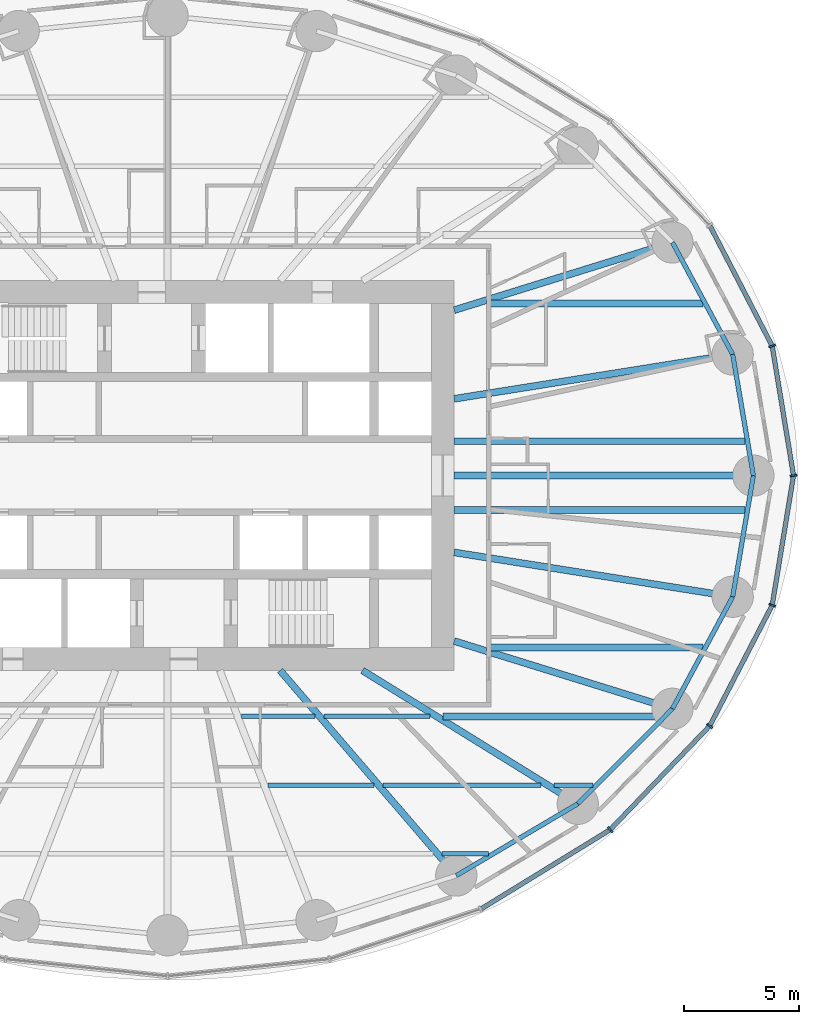
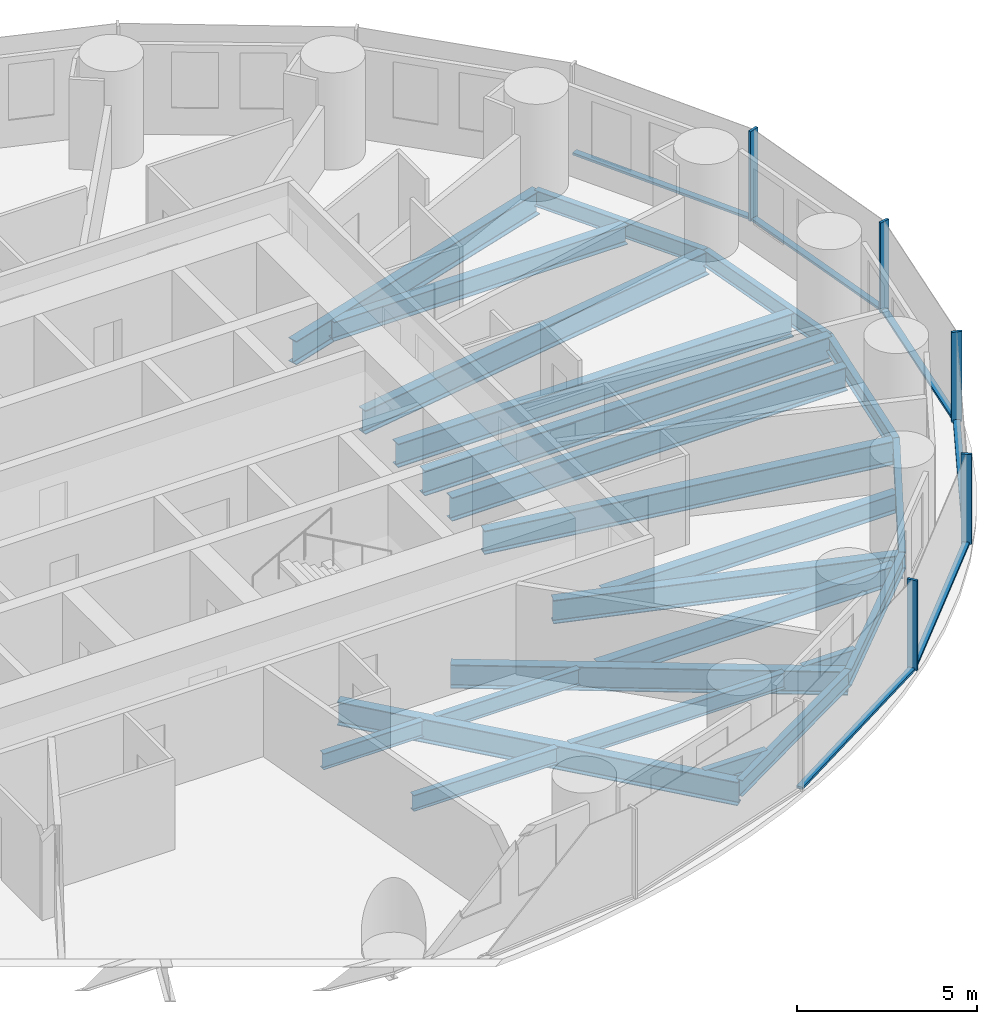
# One storey, part 3 of 13: 24 beams, 11 members, 2 elements without a shape of their own.
"""IFC4 building model written with IfcOpenShell, lengths in metres."""

import ifcopenshell
import ifcopenshell.guid

model = None  # the IFC model being written
_history = None  # IfcOwnerHistory: only IFC2X3 demands one
_inside = {}  # id of a spatial element -> (the spatial element, [elements in it])
_under = {}  # id of a project, library or spatial element -> (it, [spatial elements below it])
_declared = {}  # id of a project -> (the project, [libraries it declares])
_typed = {}  # id of a type object -> (the type object, [elements of that type])
_made_of = {}  # id of a material, layer set ... -> (it, [elements and type objects made of it])


def new_model(schema):
    """Start an empty IFC model of exactly this schema.

    Asked for "IFC4X3", IfcOpenShell would pick the latest addendum, in which some entities
    have other attributes; the version numbers below select the first issue.
    IFC2X3 requires an IfcOwnerHistory on every rooted entity: one is made here for all.
    """
    global model, _history
    if schema == "IFC4X3":
        model = ifcopenshell.file(schema_version=(4, 3, 0, 0))
    else:
        model = ifcopenshell.file(schema=schema)
    _inside.clear()
    _under.clear()
    _declared.clear()
    _typed.clear()
    _made_of.clear()
    _history = None
    if model.schema == "IFC2X3":
        org = make("IfcOrganization", Name="unknown")
        user = make(
            "IfcPersonAndOrganization",
            ThePerson=make("IfcPerson", FamilyName="unknown"),
            TheOrganization=org,
        )
        app = make(
            "IfcApplication",
            ApplicationDeveloper=org,
            Version="unknown",
            ApplicationFullName="unknown",
            ApplicationIdentifier="unknown",
        )
        _history = make(
            "IfcOwnerHistory",
            OwningUser=user,
            OwningApplication=app,
            ChangeAction="ADDED",
            CreationDate=0,
        )
    return model


def make(cls, **values):
    """One entity of the class cls with the attributes given. An attribute that is None is left unset."""
    return model.create_entity(
        cls, **{name: value for name, value in values.items() if value is not None}
    )


def rooted(cls, **values):
    """An entity with a GlobalId (a new one), such as an element, a storey or a relation."""
    return make(cls, GlobalId=ifcopenshell.guid.new(), OwnerHistory=_history, **values)


def si_unit(unit_type, name, prefix=None):
    """IfcSIUnit, for example si_unit("LENGTHUNIT", "METRE", prefix="MILLI")."""
    return make("IfcSIUnit", UnitType=unit_type, Prefix=prefix, Name=name)


def assignment(units):
    """IfcUnitAssignment: the units of a project."""
    return None if units is None else make("IfcUnitAssignment", Units=units)


def point(xyz):
    """IfcCartesianPoint."""
    return None if xyz is None else make("IfcCartesianPoint", Coordinates=xyz)


def direction(xyz):
    """IfcDirection."""
    return None if xyz is None else make("IfcDirection", DirectionRatios=xyz)


def frame(location, z_axis=None, x_axis=None):
    """IfcAxis2Placement3D, a coordinate frame: its origin and axes. An axis left out is left unset."""
    return make(
        "IfcAxis2Placement3D",
        Location=point(location),
        Axis=direction(z_axis),
        RefDirection=direction(x_axis),
    )


def frame_2d(location, x_axis=None):
    """IfcAxis2Placement2D, a coordinate frame in the plane: its origin and x axis."""
    return make(
        "IfcAxis2Placement2D", Location=point(location), RefDirection=direction(x_axis)
    )


def origin():
    """The frame at (0, 0, 0) with its axes left unset."""
    return frame((0.0, 0.0, 0.0))


def origin_2d():
    """The frame at (0, 0) in the plane with its x axis left unset."""
    return frame_2d((0.0, 0.0))


def place(relative_to, where):
    """IfcLocalPlacement: puts the frame where relative to a parent placement (None: the world)."""
    return make(
        "IfcLocalPlacement", PlacementRelTo=relative_to, RelativePlacement=where
    )


def context(
    kind, dimensions, precision=None, world=None, true_north=None, identifier=None
):
    """IfcGeometricRepresentationContext, for example the 3D "Model" context."""
    return make(
        "IfcGeometricRepresentationContext",
        ContextIdentifier=identifier,
        ContextType=kind,
        CoordinateSpaceDimension=dimensions,
        Precision=precision,
        WorldCoordinateSystem=world,
        TrueNorth=true_north,
    )


def subcontext(parent, identifier, kind, view, scale=None):
    """IfcGeometricRepresentationSubContext, for example "Body" below "Model"."""
    return make(
        "IfcGeometricRepresentationSubContext",
        ContextIdentifier=identifier,
        ContextType=kind,
        ParentContext=parent,
        TargetScale=scale,
        TargetView=view,
    )


def project(units=None, contexts=None):
    """IfcProject with its units and contexts."""
    return rooted(
        "IfcProject",
        Name="project",
        RepresentationContexts=contexts,
        UnitsInContext=assignment(units),
    )


def spatial(cls, under=None, at=None, **own):
    """A site, building, storey or space (cls), placed at a placement, below another one or the project."""
    s = rooted(cls, ObjectPlacement=at, **own)
    if under is not None:
        _under.setdefault(under.id(), (under, []))[1].append(s)
    return s


def profile(cls, at=None, kind="AREA", **sizes):
    """A parametric profile (cls). Its sizes go by their IFC names, for example OverallWidth=200.0."""
    return make(cls, ProfileType=kind, Position=at, **sizes)


def rectangle(**sizes):
    """IfcRectangleProfileDef."""
    return profile("IfcRectangleProfileDef", **sizes)


def i_section(**sizes):
    """IfcIShapeProfileDef."""
    return profile("IfcIShapeProfileDef", **sizes)


def extrude(swept, where, along, depth):
    """IfcExtrudedAreaSolid: the profile swept, set in the frame where, extruded along a direction by depth."""
    return make(
        "IfcExtrudedAreaSolid",
        SweptArea=swept,
        Position=where,
        ExtrudedDirection=direction(along),
        Depth=depth,
    )


def shape(context_of_items, identifier, shape_type, items):
    """IfcShapeRepresentation: the items that make up one representation, for example the "Body"."""
    return make(
        "IfcShapeRepresentation",
        ContextOfItems=context_of_items,
        RepresentationIdentifier=identifier,
        RepresentationType=shape_type,
        Items=items,
    )


def material(Name=None, Category=None):
    """IfcMaterial."""
    return make("IfcMaterial", Name=Name, Category=Category)


def material_profile(
    of_material, cross_section, Name=None, Category=None, Priority=None
):
    """IfcMaterialProfile: a cross section and its material."""
    return make(
        "IfcMaterialProfile",
        Name=Name,
        Material=of_material,
        Profile=cross_section,
        Priority=Priority,
        Category=Category,
    )


def profile_set(profiles, Name=None, composite=None):
    """IfcMaterialProfileSet."""
    return make(
        "IfcMaterialProfileSet",
        Name=Name,
        MaterialProfiles=profiles,
        CompositeProfile=composite,
    )


def made_of(thing, what):
    """Note that an element or type object is made of a material, layer set ...; save() writes the relation."""
    if what is not None:
        _made_of.setdefault(what.id(), (what, []))[1].append(thing)
    return thing


def type_object(cls, material=None, **own):
    """A type object (cls), such as IfcWallType, which elements share."""
    return made_of(rooted(cls, **own), material)


def element(
    cls,
    number,
    at=None,
    inside=None,
    cuts=None,
    type_object=None,
    material=None,
    context=None,
    identifier="Body",
    shape_type=None,
    held_by="IfcProductDefinitionShape",
    body=None,
    shapes=None,
    **own,
):
    """One element of the class cls, such as IfcWall. Its Tag is "e" and its number.

    at: its placement. inside: the storey or other place that contains it. cuts: it is an
    opening in that element (IfcRelVoidsElement). A single representation is given by context,
    identifier, shape_type and body (its items); several are given by shapes. held_by: the class
    of the entity that holds the representations. save() writes the other relations.
    """
    e = rooted(cls, Tag="e%d" % number, ObjectPlacement=at, **own)
    if body is not None:
        shapes = [shape(context, identifier, shape_type, body)]
    if shapes is not None:
        e.Representation = make(held_by, Representations=shapes)
    if inside is not None:
        _inside.setdefault(inside.id(), (inside, []))[1].append(e)
    if cuts is not None:
        rooted(
            "IfcRelVoidsElement", RelatingBuildingElement=cuts, RelatedOpeningElement=e
        )
    if type_object is not None:
        _typed.setdefault(type_object.id(), (type_object, []))[1].append(e)
    return made_of(e, material)


def aggregate(whole, parts):
    """IfcRelAggregates: a whole, such as a stair, and the parts it consists of."""
    return rooted("IfcRelAggregates", RelatingObject=whole, RelatedObjects=parts)


def save(model, path):
    """Write the relations noted so far, then the file.

    IfcRelAggregates (storeys below a building ...), IfcRelContainedInSpatialStructure (elements
    in a storey), IfcRelDefinesByType, IfcRelAssociatesMaterial and IfcRelDeclares: one each for
    every whole, place, type object, material and project.
    """
    for whole, parts in _under.values():
        aggregate(whole, parts)
    for where, things in _inside.values():
        rooted(
            "IfcRelContainedInSpatialStructure",
            RelatedElements=things,
            RelatingStructure=where,
        )
    for kind, things in _typed.values():
        rooted("IfcRelDefinesByType", RelatedObjects=things, RelatingType=kind)
    for what, things in _made_of.values():
        rooted("IfcRelAssociatesMaterial", RelatedObjects=things, RelatingMaterial=what)
    for by, libraries in _declared.values():
        rooted("IfcRelDeclares", RelatingContext=by, RelatedDefinitions=libraries)
    model.write(path)


model = new_model("IFC4")

# Units and contexts
model_context = context("Model", 3, precision=1e-05, world=origin(), true_north=direction((0.0, 1.0)))
body_context = subcontext(model_context, "Body", "Model", "MODEL_VIEW")
ifc_project = project(units=[si_unit("LENGTHUNIT", "METRE"), si_unit("AREAUNIT", "SQUARE_METRE"), si_unit("VOLUMEUNIT", "CUBIC_METRE"), si_unit("PLANEANGLEUNIT", "RADIAN"), si_unit("MASSUNIT", "GRAM", prefix="KILO")], contexts=[model_context])

# Site, building, storey
site_placement = place(None, origin())
site = spatial("IfcSite", under=ifc_project, at=site_placement, CompositionType="ELEMENT")
building_placement = place(site_placement, origin())
building = spatial("IfcBuilding", under=site, at=building_placement, Name="Hankou Lantern Tower", CompositionType="ELEMENT")
storey_placement = place(building_placement, frame((0.0, 0.0, 42.60009765625)))
storey = spatial("IfcBuildingStorey", under=building, at=storey_placement, Name="L09", CompositionType="ELEMENT", Elevation=42.60009765625)

# Beams
ifc_material_1 = material(Name="Steel Q355B", Category="steel")
ifc_material_profile_1 = material_profile(ifc_material_1, i_section(OverallWidth=0.199951171875, OverallDepth=0.550048828125, WebThickness=0.010009765625, FlangeThickness=0.01611328125, FilletRadius=0.012939453125, at=origin_2d()), Name="HN550x200x10x16")
ifc_profile_set_1 = profile_set([ifc_material_profile_1], Name="Steel Q355B")
beam_type_1 = type_object("IfcBeamType", Name="EB6 RING BEAM HN550x200x10x16", PredefinedType="SPANDREL", material=ifc_profile_set_1)
beam_1_placement = place(storey_placement, frame((25.550048828125, 0.0, -0.455078125), z_axis=(-0.168489691988, 0.985703415685, 0.0), x_axis=(-0.985703415685, -0.168489691988, 0.0)))
element("IfcBeam", 1, at=beam_1_placement, inside=storey, type_object=beam_type_1, Name="Ring beam R01-R02 L09", PredefinedType="SPANDREL", context=body_context, shape_type="SweptSolid", body=[
    extrude(i_section(OverallWidth=0.199951171875, OverallDepth=0.550048828125, WebThickness=0.010009765625, FlangeThickness=0.01611328125, FilletRadius=0.012939453125, at=origin_2d()), origin(), (0.0, 0.0, 1.0), 5.35986328125),
])
beam_2_placement = place(storey_placement, frame((24.64697265625, 5.283203125, -0.455078125), z_axis=(-0.473609096023, 0.880735161194, 0.0), x_axis=(-0.880735161194, -0.473609096023, 0.0)))
element("IfcBeam", 2, at=beam_2_placement, inside=storey, type_object=beam_type_1, Name="Ring beam R02-R03 L09", PredefinedType="SPANDREL", context=body_context, shape_type="SweptSolid", body=[
    extrude(i_section(OverallWidth=0.199951171875, OverallDepth=0.550048828125, WebThickness=0.010009765625, FlangeThickness=0.01611328125, FilletRadius=0.012939453125, at=origin_2d()), origin(), (0.0, 0.0, 1.0), 5.548828125),
])
beam_3_placement = place(storey_placement, frame((12.5908203125, -17.446533203125, -0.455078125), z_axis=(0.860881533543, 0.508805449268, 0.0), x_axis=(-0.508805449268, 0.860881533543, 0.0)))
element("IfcBeam", 3, at=beam_3_placement, inside=storey, type_object=beam_type_1, Name="Ring beam R21-R22 L09", PredefinedType="SPANDREL", context=body_context, shape_type="SweptSolid", body=[
    extrude(i_section(OverallWidth=0.199951171875, OverallDepth=0.550048828125, WebThickness=0.010009765625, FlangeThickness=0.01611328125, FilletRadius=0.012939453125, at=origin_2d()), origin(), (0.0, 0.0, 1.0), 6.15771484375),
])
beam_4_placement = place(storey_placement, frame((17.891845703125, -14.3134765625, -0.455078125), z_axis=(0.705727798394, 0.708483079949, 0.0), x_axis=(-0.708483079949, 0.705727798394, 0.0)))
element("IfcBeam", 4, at=beam_4_placement, inside=storey, type_object=beam_type_1, Name="Ring beam R22-R23 L09", PredefinedType="SPANDREL", context=body_context, shape_type="SweptSolid", body=[
    extrude(i_section(OverallWidth=0.199951171875, OverallDepth=0.550048828125, WebThickness=0.010009765625, FlangeThickness=0.01611328125, FilletRadius=0.012939453125, at=origin_2d()), origin(), (0.0, 0.0, 1.0), 5.84814453125),
])
beam_5_placement = place(storey_placement, frame((22.01904296875, -10.170166015625, -0.455078125), z_axis=(0.473609096023, 0.880735161194, 0.0), x_axis=(-0.880735161194, 0.473609096023, 0.0)))
element("IfcBeam", 5, at=beam_5_placement, inside=storey, type_object=beam_type_1, Name="Ring beam R23-R24 L09", PredefinedType="SPANDREL", context=body_context, shape_type="SweptSolid", body=[
    extrude(i_section(OverallWidth=0.199951171875, OverallDepth=0.550048828125, WebThickness=0.010009765625, FlangeThickness=0.01611328125, FilletRadius=0.012939453125, at=origin_2d()), origin(), (0.0, 0.0, 1.0), 5.548828125),
])
beam_6_placement = place(storey_placement, frame((24.64697265625, -5.283203125, -0.455078125), z_axis=(0.168489691988, 0.985703415685, 0.0), x_axis=(-0.985703415685, 0.168489691988, 0.0)))
element("IfcBeam", 6, at=beam_6_placement, inside=storey, type_object=beam_type_1, Name="Ring beam R24-R01 L09", PredefinedType="SPANDREL", context=body_context, shape_type="SweptSolid", body=[
    extrude(i_section(OverallWidth=0.199951171875, OverallDepth=0.550048828125, WebThickness=0.010009765625, FlangeThickness=0.01611328125, FilletRadius=0.012939453125, at=origin_2d()), origin(), (0.0, 0.0, 1.0), 5.35986328125),
])

# Curtain wall, members
ifc_material_2 = material(Name="Glass, dark grey tinted laminated", Category="glass")
curtain_wall_type = type_object("IfcCurtainWallType", Name="CWA OUTER SKIN LOW-RISE", PredefinedType="USERDEFINED", material=ifc_material_2)
curtain_wall_1_placement = place(storey_placement, origin())
curtain_wall_1 = element("IfcCurtainWall", 7, at=curtain_wall_1_placement, inside=storey, type_object=curtain_wall_type, Name="CWA L09 OS1", ObjectType="OUTER SKIN LOW-RISE", PredefinedType="USERDEFINED")
ifc_material_3 = material(Name="Aluminium, black anodised", Category="aluminium")
ifc_material_profile_2 = material_profile(ifc_material_3, rectangle(XDim=0.080078125, YDim=0.300048828125, at=origin_2d()), Name="MU1 80X300")
ifc_profile_set_2 = profile_set([ifc_material_profile_2], Name="Aluminium, black anodised")
member_type_1 = type_object("IfcMemberType", Name="MU1 OUTER SKIN MULLION 80X300", PredefinedType="MULLION", material=ifc_profile_set_2)
member_1_placement = place(storey_placement, frame((27.300048828125, 0.0, 0.0), z_axis=(0.0, 0.0, 1.0), x_axis=(-0.162381515188, 0.986728049427, 0.0)))
member_1 = element("IfcMember", 8, at=member_1_placement, type_object=member_type_1, Name="CWA mullion 1", PredefinedType="MULLION", context=body_context, shape_type="SweptSolid", body=[
    extrude(rectangle(XDim=0.080078125, YDim=0.300048828125, at=origin_2d()), origin(), (0.0, 0.0, 1.0), 3.0498046875),
])
member_2_placement = place(storey_placement, frame((26.369873046875, 5.652587890625, 0.0), z_axis=(0.0, 0.0, 1.0), x_axis=(-0.317595577365, 0.94822626479, 0.0)))
member_2 = element("IfcMember", 9, at=member_2_placement, type_object=member_type_1, Name="CWA mullion 2", PredefinedType="MULLION", context=body_context, shape_type="SweptSolid", body=[
    extrude(rectangle(XDim=0.080078125, YDim=0.300048828125, at=origin_2d()), origin(), (0.0, 0.0, 1.0), 3.0498046875),
])

curtain_wall_2_placement = place(storey_placement, origin())
curtain_wall_2 = element("IfcCurtainWall", 10, at=curtain_wall_2_placement, inside=storey, type_object=curtain_wall_type, Name="CWA L09 OS4", ObjectType="OUTER SKIN LOW-RISE", PredefinedType="USERDEFINED")
member_3_placement = place(storey_placement, frame((19.303955078125, -15.443115234375, 0.0), z_axis=(0.0, 0.0, 1.0), x_axis=(0.780868809444, 0.624695047553, 0.0)))
member_3 = element("IfcMember", 11, at=member_3_placement, type_object=member_type_1, Name="CWA mullion 4", PredefinedType="MULLION", context=body_context, shape_type="SweptSolid", body=[
    extrude(rectangle(XDim=0.080078125, YDim=0.300048828125, at=origin_2d()), origin(), (0.0, 0.0, 1.0), 3.0498046875),
])
member_4_placement = place(storey_placement, frame((23.642578125, -10.919921875, 0.0), z_axis=(0.0, 0.0, 1.0), x_axis=(0.585205735974, 0.810884854084, 0.0)))
member_4 = element("IfcMember", 12, at=member_4_placement, type_object=member_type_1, Name="CWA mullion 5", PredefinedType="MULLION", context=body_context, shape_type="SweptSolid", body=[
    extrude(rectangle(XDim=0.080078125, YDim=0.300048828125, at=origin_2d()), origin(), (0.0, 0.0, 1.0), 3.0498046875),
])
member_5_placement = place(storey_placement, frame((26.369873046875, -5.652587890625, 0.0), z_axis=(0.0, 0.0, 1.0), x_axis=(0.317595577365, 0.94822626479, 0.0)))
member_5 = element("IfcMember", 13, at=member_5_placement, type_object=member_type_1, Name="CWA mullion 6", PredefinedType="MULLION", context=body_context, shape_type="SweptSolid", body=[
    extrude(rectangle(XDim=0.080078125, YDim=0.300048828125, at=origin_2d()), origin(), (0.0, 0.0, 1.0), 3.0498046875),
])

# Beams
ifc_material_4 = material(Name="Steel Q355B", Category="steel")
ifc_material_profile_3 = material_profile(ifc_material_4, i_section(OverallWidth=0.300048828125, OverallDepth=0.800048828125, WebThickness=0.013916015625, FlangeThickness=0.02587890625, FilletRadius=0.01806640625, at=origin_2d()), Name="HN800x300x14x26")
ifc_profile_set_3 = profile_set([ifc_material_profile_3], Name="Steel Q355B")
beam_type_2 = type_object("IfcBeamType", Name="RB11 RADIAL BEAM HN800x300x14x26", PredefinedType="BEAM", material=ifc_profile_set_3)
beam_7_placement = place(storey_placement, frame((12.5, 3.349365234375, -0.580078125), z_axis=(0.987563081343, 0.157223281893, 0.0), x_axis=(-0.157223281893, 0.987563081343, 0.0)))
element("IfcBeam", 14, at=beam_7_placement, inside=storey, type_object=beam_type_2, Name="Radial beam R02 L09", PredefinedType="BEAM", context=body_context, shape_type="SweptSolid", body=[
    extrude(i_section(OverallWidth=0.300048828125, OverallDepth=0.800048828125, WebThickness=0.013916015625, FlangeThickness=0.02587890625, FilletRadius=0.01806640625, at=origin_2d()), origin(), (0.0, 0.0, 1.0), 12.300048828125),
])
beam_8_placement = place(storey_placement, frame((12.5, 7.216796875, -0.580078125), z_axis=(0.955087327755, 0.29632447817, 0.0), x_axis=(-0.29632447817, 0.955087327755, 0.0)))
element("IfcBeam", 15, at=beam_8_placement, inside=storey, type_object=beam_type_2, Name="Radial beam R03 L09", PredefinedType="BEAM", context=body_context, shape_type="SweptSolid", body=[
    extrude(i_section(OverallWidth=0.300048828125, OverallDepth=0.800048828125, WebThickness=0.013916015625, FlangeThickness=0.02587890625, FilletRadius=0.01806640625, at=origin_2d()), origin(), (0.0, 0.0, 1.0), 9.966552734375),
])
beam_9_placement = place(storey_placement, frame((4.907470703125, -8.5, -0.580078125), z_axis=(0.651519061225, -0.758632264579, 0.0), x_axis=(0.758632264579, 0.651519061225, 0.0)))
element("IfcBeam", 16, at=beam_9_placement, inside=storey, type_object=beam_type_2, Name="Radial beam R21 L09", PredefinedType="BEAM", context=body_context, shape_type="SweptSolid", body=[
    extrude(i_section(OverallWidth=0.300048828125, OverallDepth=0.800048828125, WebThickness=0.013916015625, FlangeThickness=0.02587890625, FilletRadius=0.01806640625, at=origin_2d()), origin(), (0.0, 0.0, 1.0), 11.79296875),
])
beam_10_placement = place(storey_placement, frame((8.5, -8.5, -0.580078125), z_axis=(0.850286343288, -0.526320372414, 0.0), x_axis=(0.526320372414, 0.850286343288, 0.0)))
element("IfcBeam", 17, at=beam_10_placement, inside=storey, type_object=beam_type_2, Name="Radial beam R22 L09", PredefinedType="BEAM", context=body_context, shape_type="SweptSolid", body=[
    extrude(i_section(OverallWidth=0.300048828125, OverallDepth=0.800048828125, WebThickness=0.013916015625, FlangeThickness=0.02587890625, FilletRadius=0.01806640625, at=origin_2d()), origin(), (0.0, 0.0, 1.0), 11.04541015625),
])
beam_11_placement = place(storey_placement, frame((12.5, -7.216796875, -0.580078125), z_axis=(0.955087327755, -0.29632447817, 0.0), x_axis=(0.29632447817, 0.955087327755, 0.0)))
element("IfcBeam", 18, at=beam_11_placement, inside=storey, type_object=beam_type_2, Name="Radial beam R23 L09", PredefinedType="BEAM", context=body_context, shape_type="SweptSolid", body=[
    extrude(i_section(OverallWidth=0.300048828125, OverallDepth=0.800048828125, WebThickness=0.013916015625, FlangeThickness=0.02587890625, FilletRadius=0.01806640625, at=origin_2d()), origin(), (0.0, 0.0, 1.0), 9.966552734375),
])
beam_12_placement = place(storey_placement, frame((12.5, -3.349365234375, -0.580078125), z_axis=(0.987563081343, -0.157223281893, 0.0), x_axis=(0.157223281893, 0.987563081343, 0.0)))
element("IfcBeam", 19, at=beam_12_placement, inside=storey, type_object=beam_type_2, Name="Radial beam R24 L09", PredefinedType="BEAM", context=body_context, shape_type="SweptSolid", body=[
    extrude(i_section(OverallWidth=0.300048828125, OverallDepth=0.800048828125, WebThickness=0.013916015625, FlangeThickness=0.02587890625, FilletRadius=0.01806640625, at=origin_2d()), origin(), (0.0, 0.0, 1.0), 12.300048828125),
])
ifc_material_5 = material(Name="Steel Q355B", Category="steel")
ifc_material_profile_4 = material_profile(ifc_material_5, i_section(OverallWidth=0.300048828125, OverallDepth=0.85009765625, WebThickness=0.01611328125, FlangeThickness=0.027099609375, FilletRadius=0.01806640625, at=origin_2d()), Name="HN850x300x16x27")
ifc_profile_set_4 = profile_set([ifc_material_profile_4], Name="Steel Q355B")
beam_type_3 = type_object("IfcBeamType", Name="RB12 RADIAL BEAM HN850x300x16x27", PredefinedType="BEAM", material=ifc_profile_set_4)
beam_13_placement = place(storey_placement, frame((12.5, 0.0, -0.60498046875), z_axis=(1.0, 0.0, 0.0), x_axis=(0.0, 1.0, 0.0)))
element("IfcBeam", 20, at=beam_13_placement, inside=storey, type_object=beam_type_3, Name="Radial beam R01 L09", PredefinedType="BEAM", context=body_context, shape_type="SweptSolid", body=[
    extrude(i_section(OverallWidth=0.300048828125, OverallDepth=0.85009765625, WebThickness=0.01611328125, FlangeThickness=0.027099609375, FilletRadius=0.01806640625, at=origin_2d()), origin(), (0.0, 0.0, 1.0), 13.050048828125),
])
ifc_material_6 = material(Name="Steel Q355B", Category="steel")
ifc_material_profile_5 = material_profile(ifc_material_6, i_section(OverallWidth=0.300048828125, OverallDepth=0.800048828125, WebThickness=0.013916015625, FlangeThickness=0.02587890625, FilletRadius=0.01806640625, at=origin_2d()), Name="HN800x300x14x26")
ifc_profile_set_5 = profile_set([ifc_material_profile_5], Name="Steel Q355B")
beam_type_4 = type_object("IfcBeamType", Name="SB11 SECONDARY BEAM HN800x300x14x26", PredefinedType="JOIST", material=ifc_profile_set_5)
for number, where, z_axis, x_axis, name in (
    (21, (12.5, -1.5, -0.580078125), (1.0, 0.0, 0.0), (0.0, 1.0, 0.0), "Floor joist J030 L09"),
    (22, (12.5, 1.5, -0.580078125), (1.0, 0.0, 0.0), (0.0, 1.0, 0.0), "Floor joist J032 L09"),
):
    element("IfcBeam", number, at=place(storey_placement, frame(where, z_axis=z_axis, x_axis=x_axis)), inside=storey, type_object=beam_type_4, Name=name, PredefinedType="JOIST", context=body_context, shape_type="SweptSolid", body=[
        extrude(i_section(OverallWidth=0.300048828125, OverallDepth=0.800048828125, WebThickness=0.013916015625, FlangeThickness=0.02587890625, FilletRadius=0.01806640625, at=origin_2d()), origin(), (0.0, 0.0, 1.0), 12.692138671875),
    ])
ifc_material_7 = material(Name="Steel Q355B", Category="steel")
ifc_material_profile_6 = material_profile(ifc_material_7, i_section(OverallWidth=0.199951171875, OverallDepth=0.550048828125, WebThickness=0.010009765625, FlangeThickness=0.01611328125, FilletRadius=0.012939453125, at=origin_2d()), Name="HN550x200x10x16")
ifc_profile_set_6 = profile_set([ifc_material_profile_6], Name="Steel Q355B")
beam_type_5 = type_object("IfcBeamType", Name="SB6 SECONDARY BEAM HN550x200x10x16", PredefinedType="JOIST", material=ifc_profile_set_6)
beam_14_placement = place(storey_placement, frame((11.975830078125, -16.5, -0.455078125), z_axis=(1.0, 0.0, 0.0), x_axis=(0.0, 1.0, 0.0)))
element("IfcBeam", 23, at=beam_14_placement, inside=storey, type_object=beam_type_5, Name="Floor joist J006 L09", PredefinedType="JOIST", context=body_context, shape_type="SweptSolid", body=[
    extrude(i_section(OverallWidth=0.199951171875, OverallDepth=0.550048828125, WebThickness=0.010009765625, FlangeThickness=0.01611328125, FilletRadius=0.012939453125, at=origin_2d()), origin(), (0.0, 0.0, 1.0), 2.019775390625),
])
beam_15_placement = place(storey_placement, frame((4.37451171875, -13.5, -0.455078125), z_axis=(1.0, 0.0, 0.0), x_axis=(0.0, 1.0, 0.0)))
element("IfcBeam", 24, at=beam_15_placement, inside=storey, type_object=beam_type_5, Name="Floor joist J012 L09", PredefinedType="JOIST", context=body_context, shape_type="SweptSolid", body=[
    extrude(i_section(OverallWidth=0.199951171875, OverallDepth=0.550048828125, WebThickness=0.010009765625, FlangeThickness=0.01611328125, FilletRadius=0.012939453125, at=origin_2d()), origin(), (0.0, 0.0, 1.0), 4.62939453125),
])
beam_16_placement = place(storey_placement, frame((9.3994140625, -13.5, -0.455078125), z_axis=(1.0, 0.0, 0.0), x_axis=(0.0, 1.0, 0.0)))
element("IfcBeam", 25, at=beam_16_placement, inside=storey, type_object=beam_type_5, Name="Floor joist J013 L09", PredefinedType="JOIST", context=body_context, shape_type="SweptSolid", body=[
    extrude(i_section(OverallWidth=0.199951171875, OverallDepth=0.550048828125, WebThickness=0.010009765625, FlangeThickness=0.01611328125, FilletRadius=0.012939453125, at=origin_2d()), origin(), (0.0, 0.0, 1.0), 6.893310546875),
])
beam_17_placement = place(storey_placement, frame((16.86279296875, -13.5, -0.455078125), z_axis=(1.0, 0.0, 0.0), x_axis=(0.0, 1.0, 0.0)))
element("IfcBeam", 26, at=beam_17_placement, inside=storey, type_object=beam_type_5, Name="Floor joist J014 L09", PredefinedType="JOIST", context=body_context, shape_type="SweptSolid", body=[
    extrude(i_section(OverallWidth=0.199951171875, OverallDepth=0.550048828125, WebThickness=0.010009765625, FlangeThickness=0.01611328125, FilletRadius=0.012939453125, at=origin_2d()), origin(), (0.0, 0.0, 1.0), 1.697998046875),
])
beam_18_placement = place(storey_placement, frame((3.212890625, -10.5, -0.455078125), z_axis=(1.0, 0.0, 0.0), x_axis=(0.0, 1.0, 0.0)))
element("IfcBeam", 27, at=beam_18_placement, inside=storey, type_object=beam_type_5, Name="Floor joist J020 L09", PredefinedType="JOIST", context=body_context, shape_type="SweptSolid", body=[
    extrude(i_section(OverallWidth=0.199951171875, OverallDepth=0.550048828125, WebThickness=0.010009765625, FlangeThickness=0.01611328125, FilletRadius=0.012939453125, at=origin_2d()), origin(), (0.0, 0.0, 1.0), 3.214599609375),
])
beam_19_placement = place(storey_placement, frame((6.82275390625, -10.5, -0.455078125), z_axis=(1.0, 0.0, 0.0), x_axis=(0.0, 1.0, 0.0)))
element("IfcBeam", 28, at=beam_19_placement, inside=storey, type_object=beam_type_5, Name="Floor joist J021 L09", PredefinedType="JOIST", context=body_context, shape_type="SweptSolid", body=[
    extrude(i_section(OverallWidth=0.199951171875, OverallDepth=0.550048828125, WebThickness=0.010009765625, FlangeThickness=0.01611328125, FilletRadius=0.012939453125, at=origin_2d()), origin(), (0.0, 0.0, 1.0), 4.623291015625),
])
ifc_material_8 = material(Name="Steel Q355B", Category="steel")
ifc_material_profile_7 = material_profile(ifc_material_8, i_section(OverallWidth=0.300048828125, OverallDepth=0.64990234375, WebThickness=0.010986328125, FlangeThickness=0.01708984375, FilletRadius=0.01806640625, at=origin_2d()), Name="HN650x300x11x17")
ifc_profile_set_7 = profile_set([ifc_material_profile_7], Name="Steel Q355B")
beam_type_6 = type_object("IfcBeamType", Name="SB8 SECONDARY BEAM HN650x300x11x17", PredefinedType="JOIST", material=ifc_profile_set_7)
beam_20_placement = place(storey_placement, frame((12.01611328125, -10.5, -0.505126953125), z_axis=(1.0, 0.0, 0.0), x_axis=(0.0, 1.0, 0.0)))
element("IfcBeam", 29, at=beam_20_placement, inside=storey, type_object=beam_type_6, Name="Floor joist J022 L09", PredefinedType="JOIST", context=body_context, shape_type="SweptSolid", body=[
    extrude(i_section(OverallWidth=0.300048828125, OverallDepth=0.64990234375, WebThickness=0.010986328125, FlangeThickness=0.01708984375, FilletRadius=0.01806640625, at=origin_2d()), origin(), (0.0, 0.0, 1.0), 9.533203125),
])
for number, where, z_axis, x_axis, name in (
    (30, (13.918701171875, -7.5, -0.505126953125), (1.0, 0.0, 0.0), (0.0, 1.0, 0.0), "Floor joist J024 L09"),
    (31, (13.918701171875, 7.5, -0.505126953125), (1.0, 0.0, 0.0), (0.0, 1.0, 0.0), "Floor joist J038 L09"),
):
    element("IfcBeam", number, at=place(storey_placement, frame(where, z_axis=z_axis, x_axis=x_axis)), inside=storey, type_object=beam_type_6, Name=name, PredefinedType="JOIST", context=body_context, shape_type="SweptSolid", body=[
        extrude(i_section(OverallWidth=0.300048828125, OverallDepth=0.64990234375, WebThickness=0.010986328125, FlangeThickness=0.01708984375, FilletRadius=0.01806640625, at=origin_2d()), origin(), (0.0, 0.0, 1.0), 9.4228515625),
    ])

# Member
ifc_material_9 = material(Name="Aluminium, black anodised", Category="aluminium")
ifc_material_profile_8 = material_profile(ifc_material_9, rectangle(XDim=0.199951171875, YDim=0.080078125, at=origin_2d()), Name="TR1 200X80")
ifc_profile_set_8 = profile_set([ifc_material_profile_8], Name="Aluminium, black anodised")
member_type_2 = type_object("IfcMemberType", Name="TR1 OUTER SKIN TRANSOM 200X80", PredefinedType="USERDEFINED", material=ifc_profile_set_8)
member_6_placement = place(storey_placement, frame((27.29345703125, 0.03955078125, 0.039794921875), z_axis=(-0.162387045529, 0.986727139307, 0.0), x_axis=(-0.986727139307, -0.162387045529, 0.0)))
member_6 = element("IfcMember", 32, at=member_6_placement, type_object=member_type_2, Name="CWA transom 1", ObjectType="TRANSOM", PredefinedType="USERDEFINED", context=body_context, shape_type="SweptSolid", body=[
    extrude(rectangle(XDim=0.199951171875, YDim=0.080078125, at=origin_2d()), origin(), (0.0, 0.0, 1.0), 5.6484375),
])

member_7_placement = place(storey_placement, frame((26.351318359375, 5.688232421875, 0.039794921875), z_axis=(-0.459786096495, 0.888029698529, 0.0), x_axis=(-0.888029698529, -0.459786096495, 0.0)))
member_7 = element("IfcMember", 33, at=member_7_placement, type_object=member_type_2, Name="CWA transom 2", ObjectType="TRANSOM", PredefinedType="USERDEFINED", context=body_context, shape_type="SweptSolid", body=[
    extrude(rectangle(XDim=0.199951171875, YDim=0.080078125, at=origin_2d()), origin(), (0.0, 0.0, 1.0), 5.8515625),
])

aggregate(curtain_wall_1, [member_1, member_2, member_6, member_7])

member_8_placement = place(storey_placement, frame((13.68408203125, -18.89306640625, 0.039794921875), z_axis=(0.85223969557, 0.523151508929, 0.0), x_axis=(-0.523151508929, 0.85223969557, 0.0)))
member_8 = element("IfcMember", 34, at=member_8_placement, type_object=member_type_2, Name="CWA transom 3", ObjectType="TRANSOM", PredefinedType="USERDEFINED", context=body_context, shape_type="SweptSolid", body=[
    extrude(rectangle(XDim=0.199951171875, YDim=0.080078125, at=origin_2d()), origin(), (0.0, 0.0, 1.0), 6.554443359375),
])

member_9_placement = place(storey_placement, frame((19.331787109375, -15.414306640625, 0.039794921875), z_axis=(0.692215537374, 0.721690827029, 0.0), x_axis=(-0.721690827029, 0.692215537374, 0.0)))
member_9 = element("IfcMember", 35, at=member_9_placement, type_object=member_type_2, Name="CWA transom 4", ObjectType="TRANSOM", PredefinedType="USERDEFINED", context=body_context, shape_type="SweptSolid", body=[
    extrude(rectangle(XDim=0.199951171875, YDim=0.080078125, at=origin_2d()), origin(), (0.0, 0.0, 1.0), 6.187255859375),
])

member_10_placement = place(storey_placement, frame((23.660888671875, -10.884521484375, 0.039794921875), z_axis=(0.459786096495, 0.888029698529, 0.0), x_axis=(-0.888029698529, 0.459786096495, 0.0)))
member_10 = element("IfcMember", 36, at=member_10_placement, type_object=member_type_2, Name="CWA transom 5", ObjectType="TRANSOM", PredefinedType="USERDEFINED", context=body_context, shape_type="SweptSolid", body=[
    extrude(rectangle(XDim=0.199951171875, YDim=0.080078125, at=origin_2d()), origin(), (0.0, 0.0, 1.0), 5.8515625),
])

member_11_placement = place(storey_placement, frame((26.376220703125, -5.613037109375, 0.039794921875), z_axis=(0.162387045529, 0.986727139307, 0.0), x_axis=(-0.986727139307, 0.162387045529, 0.0)))
member_11 = element("IfcMember", 37, at=member_11_placement, type_object=member_type_2, Name="CWA transom 6", ObjectType="TRANSOM", PredefinedType="USERDEFINED", context=body_context, shape_type="SweptSolid", body=[
    extrude(rectangle(XDim=0.199951171875, YDim=0.080078125, at=origin_2d()), origin(), (0.0, 0.0, 1.0), 5.6484375),
])

aggregate(curtain_wall_2, [member_3, member_4, member_5, member_8, member_9, member_10, member_11])

save(model, "model.ifc")
